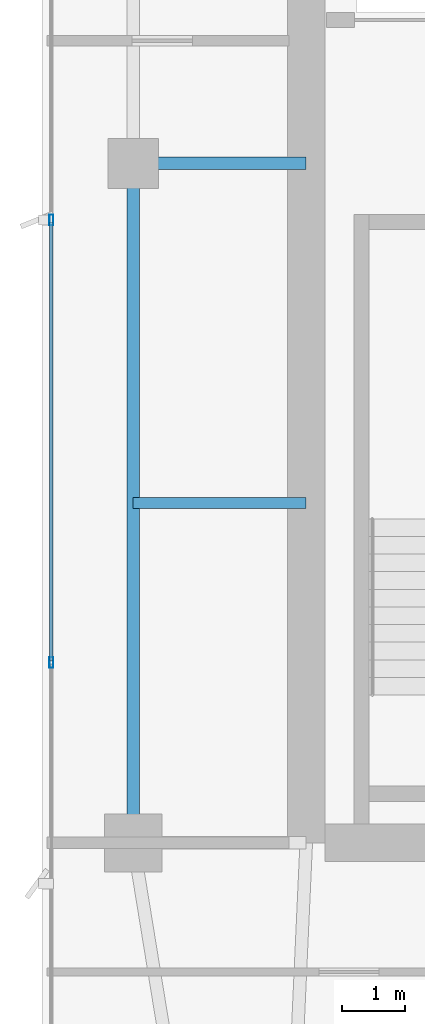
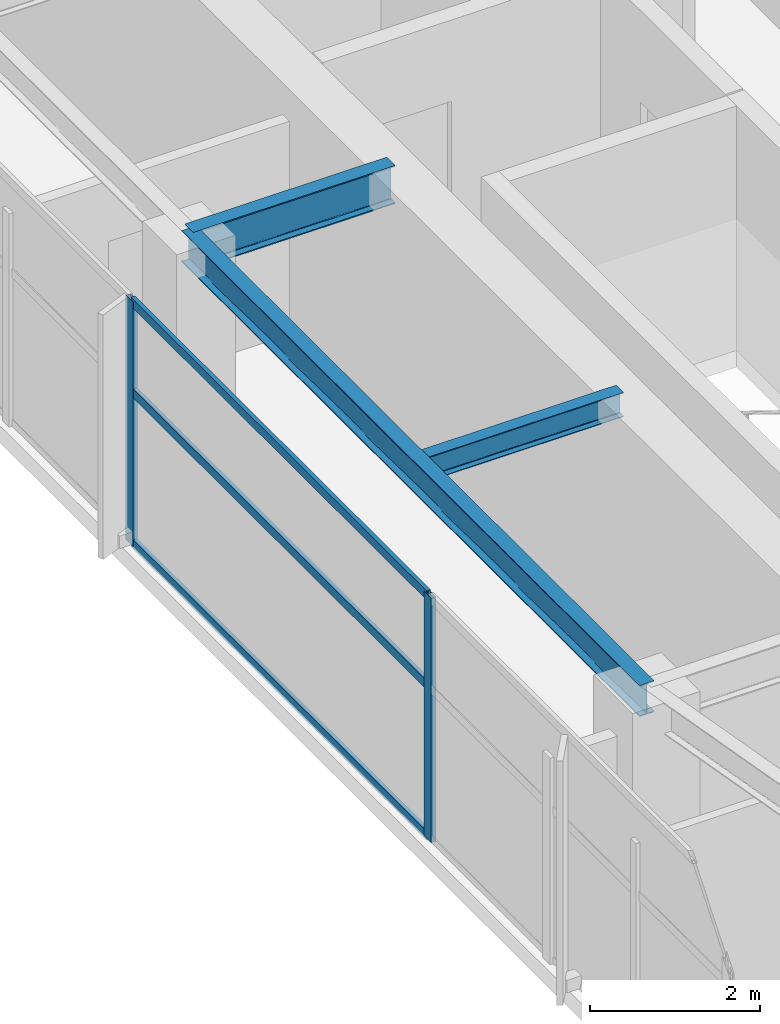
# One storey, part 8 of 27: 5 members, 3 beams, 1 element without a shape of its own.
"""IFC4 building model written with IfcOpenShell, lengths in metres."""

from ifc_helpers import new_model, si_unit, direction, frame, origin, origin_2d, place, context, subcontext, project, spatial, hollow_rectangle, i_section, extrude, material, layer, layer_set, material_profile, profile_set, type_object, element, aggregate, save


model = new_model("IFC4")

# Units and contexts
model_context = context("Model", 3, precision=1e-05, world=origin(), true_north=direction((0.0, 1.0)))
body_context = subcontext(model_context, "Body", "Model", "MODEL_VIEW")
ifc_project = project(units=[si_unit("LENGTHUNIT", "METRE"), si_unit("AREAUNIT", "SQUARE_METRE"), si_unit("VOLUMEUNIT", "CUBIC_METRE"), si_unit("PLANEANGLEUNIT", "RADIAN"), si_unit("MASSUNIT", "GRAM", prefix="KILO")], contexts=[model_context])

# Site, building, storey
site_placement = place(None, origin())
site = spatial("IfcSite", under=ifc_project, at=site_placement, CompositionType="ELEMENT")
building_placement = place(site_placement, origin())
building = spatial("IfcBuilding", under=site, at=building_placement, Name="Calvorn Quay Hotel", CompositionType="ELEMENT")
storey_placement = place(building_placement, frame((0.0, 0.0, 278.699951171875)))
storey = spatial("IfcBuildingStorey", under=building, at=storey_placement, Name="L69", CompositionType="ELEMENT", Elevation=278.699951171875)

# Beams
ifc_material_1 = material(Name="Steel Q355B", Category="steel")
ifc_material_profile_1 = material_profile(ifc_material_1, i_section(OverallWidth=0.199951171875, OverallDepth=0.550048828125, WebThickness=0.010009765625, FlangeThickness=0.01611328125, FilletRadius=0.01806640625, at=origin_2d()), Name="HN550x200x10x16")
ifc_profile_set_1 = profile_set([ifc_material_profile_1], Name="Steel Q355B")
beam_type_1 = type_object("IfcBeamType", Name="BM-GIRD-UPP", PredefinedType="BEAM", material=ifc_profile_set_1)
beam_1_placement = place(storey_placement, frame((1.449951171875, 27.60009765625, 3.2451171875), z_axis=(1.0, 0.0, 0.0), x_axis=(0.0, 1.0, 0.0)))
element("IfcBeam", 1, at=beam_1_placement, inside=storey, type_object=beam_type_1, Name="Beam BG-L69-W2", PredefinedType="BEAM", context=body_context, shape_type="SweptSolid", body=[
    extrude(i_section(OverallWidth=0.199951171875, OverallDepth=0.550048828125, WebThickness=0.010009765625, FlangeThickness=0.01611328125, FilletRadius=0.01806640625, at=origin_2d()), origin(), (0.0, 0.0, 1.0), 2.75),
])
ifc_material_2 = material(Name="Steel Q355B", Category="steel")
ifc_material_profile_2 = material_profile(ifc_material_2, i_section(OverallWidth=0.175048828125, OverallDepth=0.35009765625, WebThickness=0.007080078125, FlangeThickness=0.010986328125, FilletRadius=0.013916015625, at=origin_2d()), Name="HN350x175x7x11")
ifc_profile_set_2 = profile_set([ifc_material_profile_2], Name="Steel Q355B")
beam_type_2 = type_object("IfcBeamType", Name="BM-JOIST-SEC", PredefinedType="JOIST", material=ifc_profile_set_2)
beam_2_placement = place(storey_placement, frame((1.449951171875, 22.199951171875, 3.344970703125), z_axis=(1.0, 0.0, 0.0), x_axis=(0.0, 1.0, 0.0)))
element("IfcBeam", 2, at=beam_2_placement, inside=storey, type_object=beam_type_2, Name="Beam BJ-L69-W3", PredefinedType="JOIST", context=body_context, shape_type="SweptSolid", body=[
    extrude(i_section(OverallWidth=0.175048828125, OverallDepth=0.35009765625, WebThickness=0.007080078125, FlangeThickness=0.010986328125, FilletRadius=0.013916015625, at=origin_2d()), origin(), (0.0, 0.0, 1.0), 2.75),
])
ifc_material_3 = material(Name="Steel Q355B", Category="steel")
ifc_material_profile_3 = material_profile(ifc_material_3, i_section(OverallWidth=0.199951171875, OverallDepth=0.449951171875, WebThickness=0.009033203125, FlangeThickness=0.013916015625, FilletRadius=0.01611328125, at=origin_2d()), Name="HN450x200x9x14")
ifc_profile_set_3 = profile_set([ifc_material_profile_3], Name="Steel Q355B")
beam_type_3 = type_object("IfcBeamType", Name="BM-SPANDREL-Z3", PredefinedType="SPANDREL", material=ifc_profile_set_3)
beam_3_placement = place(storey_placement, frame((1.449951171875, 16.800048828125, 3.295166015625), z_axis=(0.0, 1.0, 0.0), x_axis=(-1.0, 0.0, 0.0)))
element("IfcBeam", 3, at=beam_3_placement, inside=storey, type_object=beam_type_3, Name="Beam BSP-L69-W2", PredefinedType="SPANDREL", context=body_context, shape_type="SweptSolid", body=[
    extrude(i_section(OverallWidth=0.199951171875, OverallDepth=0.449951171875, WebThickness=0.009033203125, FlangeThickness=0.013916015625, FilletRadius=0.01611328125, at=origin_2d()), origin(), (0.0, 0.0, 1.0), 10.800048828125),
])

# Curtain wall, members
ifc_material_4 = material(Name="Champagne Bronze Anodised Aluminium and Low-E Glass", Category="aluminium")
ifc_layer = layer(ifc_material_4, 0.219970703125)
ifc_layer_set = layer_set([ifc_layer], Name="CW-SYS-Z4")
curtain_wall_type = type_object("IfcCurtainWallType", Name="CW-SYS-Z4", PredefinedType="NOTDEFINED", material=ifc_layer_set)
curtain_wall_placement = place(storey_placement, origin())
curtain_wall = element("IfcCurtainWall", 4, at=curtain_wall_placement, inside=storey, type_object=curtain_wall_type, Name="Tower West Curtain Wall (L69)", PredefinedType="NOTDEFINED")
ifc_material_5 = material(Name="Champagne Bronze Anodised Aluminium 6063-T6", Category="aluminium")
ifc_material_profile_4 = material_profile(ifc_material_5, hollow_rectangle(XDim=0.06494140625, YDim=0.169921875, WallThickness=0.00341796875, at=origin_2d()), Name="ALU-M170x65x3.5")
ifc_profile_set_4 = profile_set([ifc_material_profile_4], Name="Champagne Bronze Anodised Aluminium 6063-T6")
member_type_1 = type_object("IfcMemberType", Name="CW-SYS-Z4-MUL", PredefinedType="MULLION", material=ifc_profile_set_4)
member_1_placement = place(storey_placement, frame((0.14990234375, 19.666748046875, 0.0), z_axis=(0.0, 0.0, 1.0), x_axis=(-1.0, 0.0, 0.0)))
member_1 = element("IfcMember", 5, at=member_1_placement, type_object=member_type_1, Name="CW-L69-W mullion 3", PredefinedType="MULLION", context=body_context, shape_type="SweptSolid", body=[
    extrude(hollow_rectangle(XDim=0.06494140625, YDim=0.169921875, WallThickness=0.00341796875, at=origin_2d()), origin(), (0.0, 0.0, 1.0), 3.52001953125),
])
member_2_placement = place(storey_placement, frame((0.14990234375, 26.699951171875, 0.0), z_axis=(0.0, 0.0, 1.0), x_axis=(-1.0, 0.0, 0.0)))
member_2 = element("IfcMember", 6, at=member_2_placement, type_object=member_type_1, Name="CW-L69-W mullion 4", PredefinedType="MULLION", context=body_context, shape_type="SweptSolid", body=[
    extrude(hollow_rectangle(XDim=0.06494140625, YDim=0.169921875, WallThickness=0.00341796875, at=origin_2d()), origin(), (0.0, 0.0, 1.0), 3.52001953125),
])
ifc_material_6 = material(Name="Champagne Bronze Anodised Aluminium 6063-T6", Category="aluminium")
ifc_material_profile_5 = material_profile(ifc_material_6, hollow_rectangle(XDim=0.054931640625, YDim=0.1298828125, WallThickness=0.003173828125, at=origin_2d()), Name="ALU-T130x55x3.2")
ifc_profile_set_5 = profile_set([ifc_material_profile_5], Name="Champagne Bronze Anodised Aluminium 6063-T6")
member_type_2 = type_object("IfcMemberType", Name="CW-SYS-Z4-TRN", PredefinedType="USERDEFINED", material=ifc_profile_set_5)
member_3_placement = place(storey_placement, frame((0.14990234375, 19.69677734375, 0.030029296875), z_axis=(0.0, 1.0, 0.0), x_axis=(-1.0, 0.0, 0.0)))
member_3 = element("IfcMember", 7, at=member_3_placement, type_object=member_type_2, Name="CW-L69-W transom 3.1", ObjectType="TRANSOM", PredefinedType="USERDEFINED", context=body_context, shape_type="SweptSolid", body=[
    extrude(hollow_rectangle(XDim=0.054931640625, YDim=0.1298828125, WallThickness=0.003173828125, at=origin_2d()), origin(), (0.0, 0.0, 1.0), 6.97314453125),
])
member_4_placement = place(storey_placement, frame((0.14990234375, 19.69677734375, 2.199951171875), z_axis=(0.0, 1.0, 0.0), x_axis=(-1.0, 0.0, 0.0)))
member_4 = element("IfcMember", 8, at=member_4_placement, type_object=member_type_2, Name="CW-L69-W transom 3.2", ObjectType="TRANSOM", PredefinedType="USERDEFINED", context=body_context, shape_type="SweptSolid", body=[
    extrude(hollow_rectangle(XDim=0.054931640625, YDim=0.1298828125, WallThickness=0.003173828125, at=origin_2d()), origin(), (0.0, 0.0, 1.0), 6.97314453125),
])
member_5_placement = place(storey_placement, frame((0.14990234375, 19.69677734375, 3.489990234375), z_axis=(0.0, 1.0, 0.0), x_axis=(-1.0, 0.0, 0.0)))
member_5 = element("IfcMember", 9, at=member_5_placement, type_object=member_type_2, Name="CW-L69-W transom 3.3", ObjectType="TRANSOM", PredefinedType="USERDEFINED", context=body_context, shape_type="SweptSolid", body=[
    extrude(hollow_rectangle(XDim=0.054931640625, YDim=0.1298828125, WallThickness=0.003173828125, at=origin_2d()), origin(), (0.0, 0.0, 1.0), 6.97314453125),
])
aggregate(curtain_wall, [member_1, member_2, member_3, member_4, member_5])

save(model, "model.ifc")
